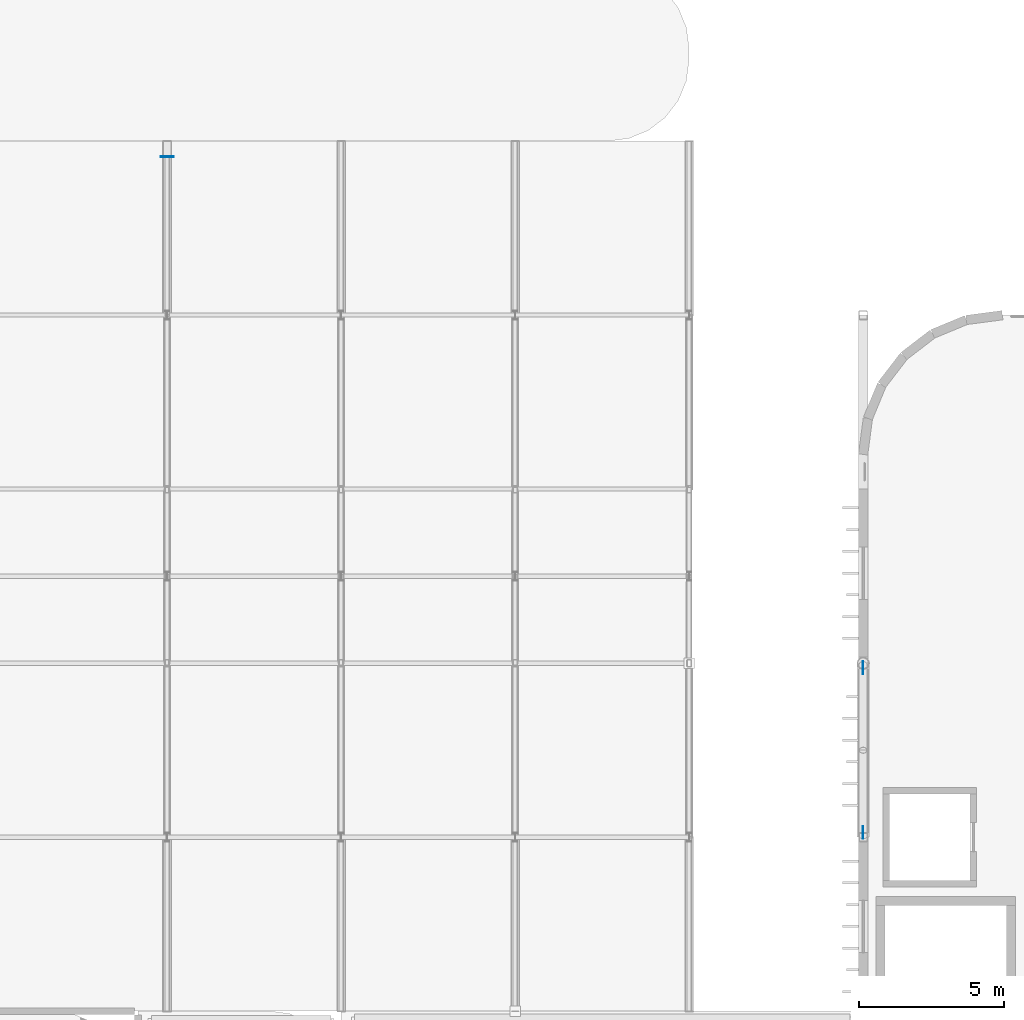
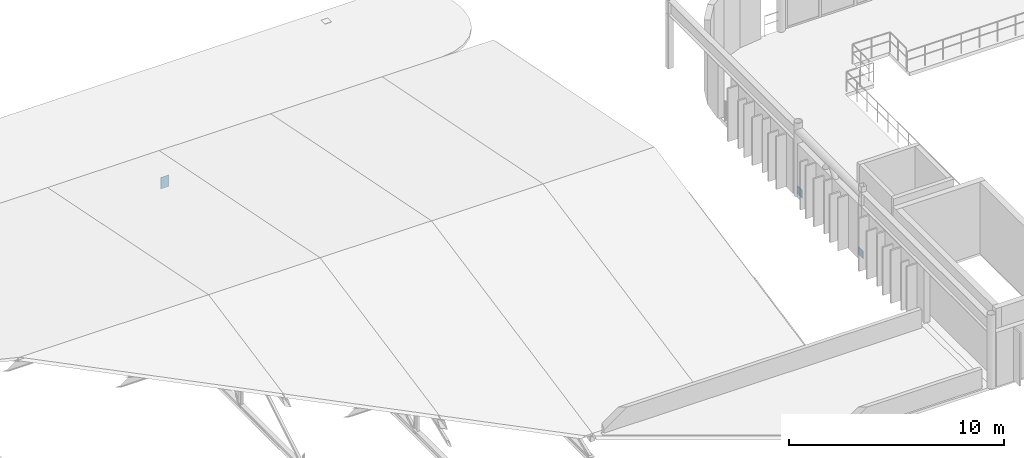
# One storey, part 71 of 83: 3 discrete accessories.
"""IFC4 building model written with IfcOpenShell, lengths in metres."""

from ifc_helpers import new_model, si_unit, direction, frame, origin, origin_2d, place, context, subcontext, project, spatial, rectangle, extrude, material, layer, layer_set, type_object, element, save


model = new_model("IFC4")

# Units and contexts
model_context = context("Model", 3, precision=1e-05, world=origin(), true_north=direction((0.0, 1.0)))
body_context = subcontext(model_context, "Body", "Model", "MODEL_VIEW")
ifc_project = project(units=[si_unit("LENGTHUNIT", "METRE"), si_unit("AREAUNIT", "SQUARE_METRE"), si_unit("VOLUMEUNIT", "CUBIC_METRE"), si_unit("PLANEANGLEUNIT", "RADIAN"), si_unit("MASSUNIT", "GRAM", prefix="KILO")], contexts=[model_context])

# Site, building, storey
site_placement = place(None, origin())
site = spatial("IfcSite", under=ifc_project, at=site_placement, CompositionType="ELEMENT")
building_placement = place(site_placement, origin())
building = spatial("IfcBuilding", under=site, at=building_placement, Name="Varnakota Square Police Headquarters", CompositionType="ELEMENT")
storey_placement = place(building_placement, frame((0.0, 0.0, 18.0)))
storey = spatial("IfcBuildingStorey", under=building, at=storey_placement, Name="L04", CompositionType="ELEMENT", Elevation=18.0)

# Discrete accessories
ifc_material = material(Name="Steel IS 2062 Grade 350", Category="steel")
ifc_layer = layer(ifc_material, 0.64990234375, Name="Steel IS 2062 Grade 350")
ifc_layer_set = layer_set([ifc_layer], Name="Steel IS 2062 Grade 350")
discrete_accessory_type = type_object("IfcDiscreteAccessoryType", Name="ACC-EMB-350", PredefinedType="BRACKET", material=ifc_layer_set)
discrete_accessory_placement = place(storey_placement, frame((36.0, 104.4599609375, -1.77490234375), z_axis=(0.0, 0.0, 1.0), x_axis=(1.0, 0.0, 0.0)))
element("IfcDiscreteAccessory", 1, at=discrete_accessory_placement, inside=storey, type_object=discrete_accessory_type, Name="Cast-in steel embed plate EMB-C7-T5", PredefinedType="BRACKET", context=body_context, shape_type="SweptSolid", body=[
    extrude(rectangle(XDim=0.449951171875, YDim=0.02490234375, at=origin_2d()), origin(), (0.0, 0.0, 1.0), 0.64990234375),
])
for number, where, z_axis, x_axis, name in (
    (2, (60.0, 81.159912109375, 0.02490234375), (0.0, 0.0, 1.0), (0.0, 1.0, 0.0), "Brace gusset connection plate BF5 L04 L"),
    (3, (60.0, 86.840087890625, 0.02490234375), (0.0, 0.0, 1.0), (0.0, 1.0, 0.0), "Brace gusset connection plate BF5 L04 R"),
):
    element("IfcDiscreteAccessory", number, at=place(storey_placement, frame(where, z_axis=z_axis, x_axis=x_axis)), inside=storey, type_object=discrete_accessory_type, Name=name, PredefinedType="BRACKET", context=body_context, shape_type="SweptSolid", body=[
        extrude(rectangle(XDim=0.43994140625, YDim=0.02001953125, at=origin_2d()), origin(), (0.0, 0.0, 1.0), 0.449951171875),
    ])

save(model, "model.ifc")
